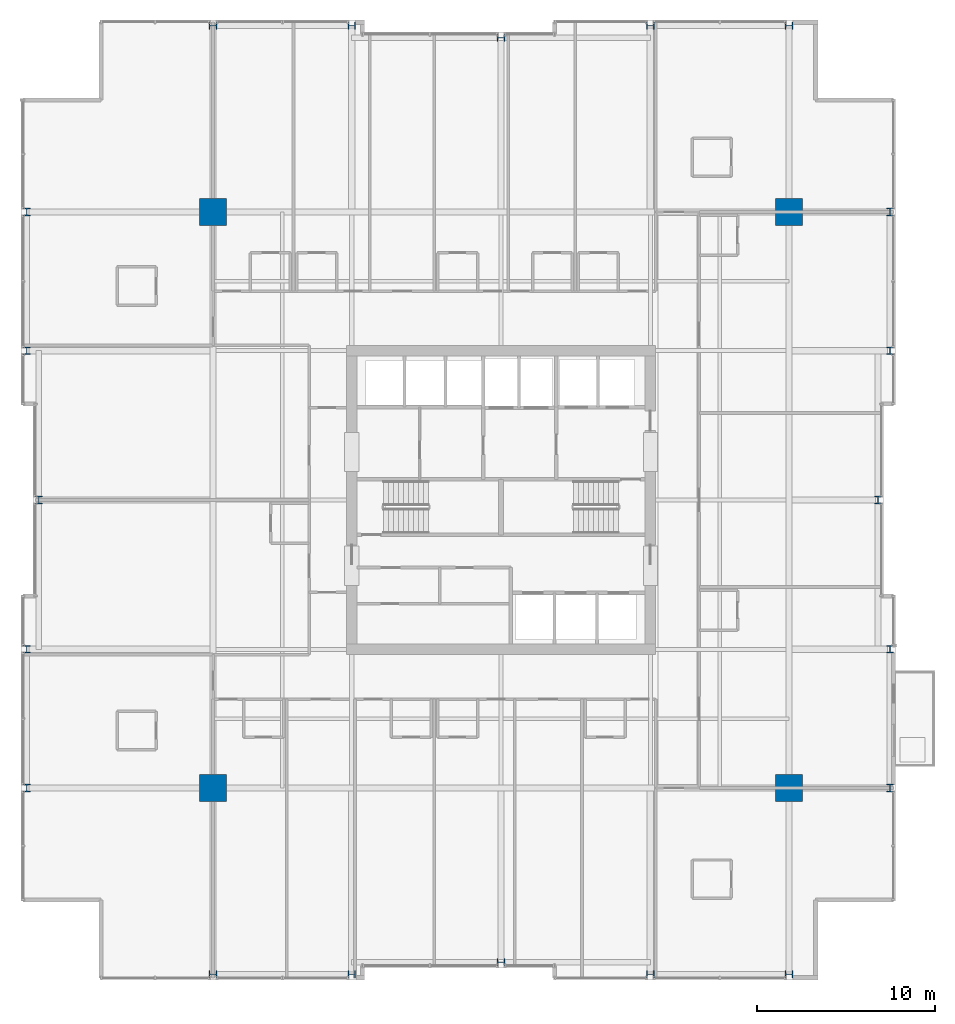
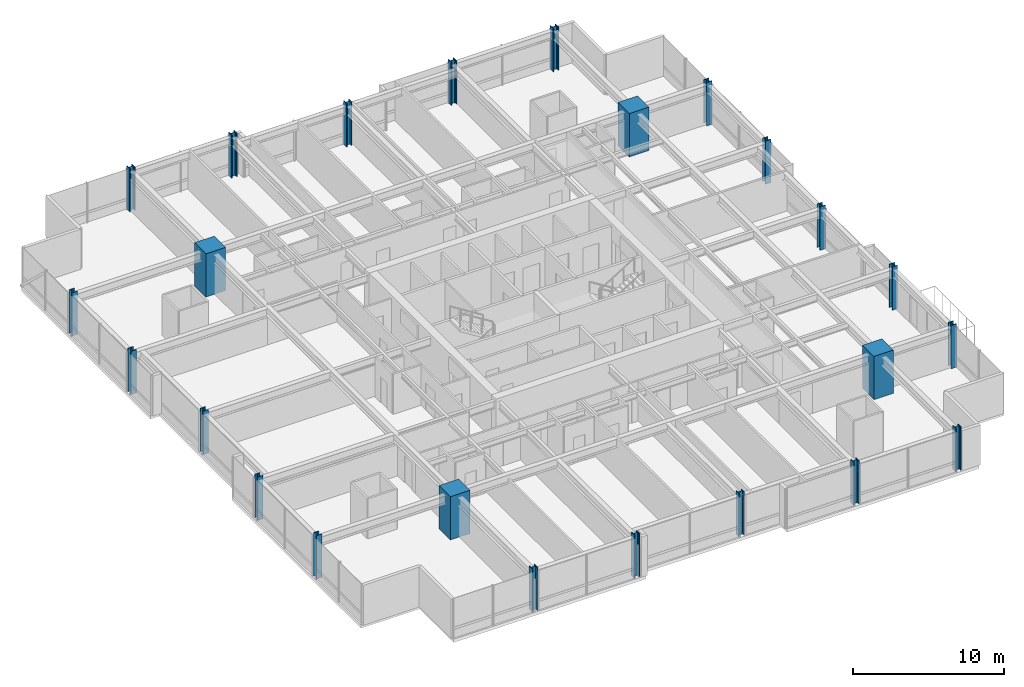
# One storey, part 1 of 34: 24 columns.
"""IFC4 building model written with IfcOpenShell, lengths in metres."""

from ifc_helpers import new_model, si_unit, direction, frame, origin, origin_2d, place, context, subcontext, project, spatial, rectangle, i_section, extrude, material, material_profile, profile_set, type_object, element, save


model = new_model("IFC4")

# Units and contexts
model_context = context("Model", 3, precision=1e-05, world=origin(), true_north=direction((0.0, 1.0)))
body_context = subcontext(model_context, "Body", "Model", "MODEL_VIEW")
ifc_project = project(units=[si_unit("LENGTHUNIT", "METRE"), si_unit("AREAUNIT", "SQUARE_METRE"), si_unit("VOLUMEUNIT", "CUBIC_METRE"), si_unit("PLANEANGLEUNIT", "RADIAN"), si_unit("MASSUNIT", "GRAM", prefix="KILO")], contexts=[model_context])

# Site, building, storey
site_placement = place(None, origin())
site = spatial("IfcSite", under=ifc_project, at=site_placement, CompositionType="ELEMENT")
building_placement = place(site_placement, origin())
building = spatial("IfcBuilding", under=site, at=building_placement, Name="Drelvath Grand Hotel", CompositionType="ELEMENT")
storey_placement = place(building_placement, frame((0.0, 0.0, 133.800048828125)))
storey = spatial("IfcBuildingStorey", under=building, at=storey_placement, Name="L34", CompositionType="ELEMENT", Elevation=133.800048828125)

# Columns
ifc_material_1 = material(Name="Concrete f'c 70 MPa", Category="concrete")
ifc_material_profile_1 = material_profile(ifc_material_1, rectangle(XDim=1.5, YDim=1.5, at=origin_2d()), Name="MC1500X1500")
ifc_profile_set_1 = profile_set([ifc_material_profile_1], Name="Concrete f'c 70 MPa")
column_type_1 = type_object("IfcColumnType", Name="Composite Mega Column MC1500X1500", PredefinedType="COLUMN", material=ifc_profile_set_1)
for number, where, z_axis, x_axis, name in (
    (1, (-16.199951171875, 10.800048828125, 0.0), (0.0, 0.0, 1.0), (1.0, 0.0, 0.0), "L34 Composite Mega Column MC-SW"),
    (2, (16.199951171875, 10.800048828125, 0.0), (0.0, 0.0, 1.0), (1.0, 0.0, 0.0), "L34 Composite Mega Column MC-SE"),
    (3, (-16.199951171875, 43.199951171875, 0.0), (0.0, 0.0, 1.0), (1.0, 0.0, 0.0), "L34 Composite Mega Column MC-NW"),
    (4, (16.199951171875, 43.199951171875, 0.0), (0.0, 0.0, 1.0), (1.0, 0.0, 0.0), "L34 Composite Mega Column MC-NE"),
):
    element("IfcColumn", number, at=place(storey_placement, frame(where, z_axis=z_axis, x_axis=x_axis)), inside=storey, type_object=column_type_1, Name=name, PredefinedType="COLUMN", context=body_context, shape_type="SweptSolid", body=[
        extrude(rectangle(XDim=1.5, YDim=1.5, at=origin_2d()), origin(), (0.0, 0.0, 1.0), 3.5),
    ])
ifc_material_2 = material(Name="Steel ASTM A913 Gr 65", Category="steel")
ifc_material_profile_2 = material_profile(ifc_material_2, i_section(OverallWidth=0.412109375, OverallDepth=0.434814453125, WebThickness=0.035888671875, FlangeThickness=0.057373046875, FilletRadius=0.028076171875, at=origin_2d()), Name="W14X311")
ifc_profile_set_2 = profile_set([ifc_material_profile_2], Name="Steel ASTM A913 Gr 65")
column_type_2 = type_object("IfcColumnType", Name="Perimeter Steel Column W14X311", PredefinedType="COLUMN", material=ifc_profile_set_2)
for number, where, z_axis, x_axis, name in (
    (5, (-26.679931640625, 10.800048828125, 0.0), (0.0, 0.0, 1.0), (1.0, 0.0, 0.0), "L34 Structural Column TCW-C"),
    (6, (21.8798828125, 10.800048828125, 0.0), (0.0, 0.0, 1.0), (1.0, 0.0, 0.0), "L34 Structural Column TCE-C"),
    (7, (-26.679931640625, 18.60009765625, 0.0), (0.0, 0.0, 1.0), (1.0, 0.0, 0.0), "L34 Structural Column TCW-D"),
    (8, (21.8798828125, 18.60009765625, 0.0), (0.0, 0.0, 1.0), (1.0, 0.0, 0.0), "L34 Structural Column TCE-D"),
    (9, (-26.0, 27.0, 0.0), (0.0, 0.0, 1.0), (1.0, 0.0, 0.0), "L34 Structural Column TCW-E"),
    (10, (21.199951171875, 27.0, 0.0), (0.0, 0.0, 1.0), (1.0, 0.0, 0.0), "L34 Structural Column TCE-E"),
    (11, (-26.679931640625, 35.39990234375, 0.0), (0.0, 0.0, 1.0), (1.0, 0.0, 0.0), "L34 Structural Column TCW-F"),
    (12, (21.8798828125, 35.39990234375, 0.0), (0.0, 0.0, 1.0), (1.0, 0.0, 0.0), "L34 Structural Column TCE-F"),
    (13, (-26.679931640625, 43.199951171875, 0.0), (0.0, 0.0, 1.0), (1.0, 0.0, 0.0), "L34 Structural Column TCW-G"),
    (14, (21.8798828125, 43.199951171875, 0.0), (0.0, 0.0, 1.0), (1.0, 0.0, 0.0), "L34 Structural Column TCE-G"),
    (15, (-16.199951171875, 0.320068359375, 0.0), (0.0, 0.0, 1.0), (0.0, 1.0, 0.0), "L34 Structural Column TCS-3"),
    (16, (-16.199951171875, 53.679931640625, 0.0), (0.0, 0.0, 1.0), (0.0, 1.0, 0.0), "L34 Structural Column TCN-3"),
    (17, (-8.39990234375, 0.320068359375, 0.0), (0.0, 0.0, 1.0), (0.0, 1.0, 0.0), "L34 Structural Column TCS-4"),
    (18, (-8.39990234375, 53.679931640625, 0.0), (0.0, 0.0, 1.0), (0.0, 1.0, 0.0), "L34 Structural Column TCN-4"),
    (19, (0.0, 1.0, 0.0), (0.0, 0.0, 1.0), (0.0, 1.0, 0.0), "L34 Structural Column TCS-5"),
    (20, (0.0, 53.0, 0.0), (0.0, 0.0, 1.0), (0.0, 1.0, 0.0), "L34 Structural Column TCN-5"),
    (21, (8.39990234375, 0.320068359375, 0.0), (0.0, 0.0, 1.0), (0.0, 1.0, 0.0), "L34 Structural Column TCS-6"),
    (22, (8.39990234375, 53.679931640625, 0.0), (0.0, 0.0, 1.0), (0.0, 1.0, 0.0), "L34 Structural Column TCN-6"),
    (23, (16.199951171875, 0.320068359375, 0.0), (0.0, 0.0, 1.0), (0.0, 1.0, 0.0), "L34 Structural Column TCS-7"),
    (24, (16.199951171875, 53.679931640625, 0.0), (0.0, 0.0, 1.0), (0.0, 1.0, 0.0), "L34 Structural Column TCN-7"),
):
    element("IfcColumn", number, at=place(storey_placement, frame(where, z_axis=z_axis, x_axis=x_axis)), inside=storey, type_object=column_type_2, Name=name, PredefinedType="COLUMN", context=body_context, shape_type="SweptSolid", body=[
        extrude(i_section(OverallWidth=0.412109375, OverallDepth=0.434814453125, WebThickness=0.035888671875, FlangeThickness=0.057373046875, FilletRadius=0.028076171875, at=origin_2d()), origin(), (0.0, 0.0, 1.0), 3.4970703125),
    ])

save(model, "model.ifc")
